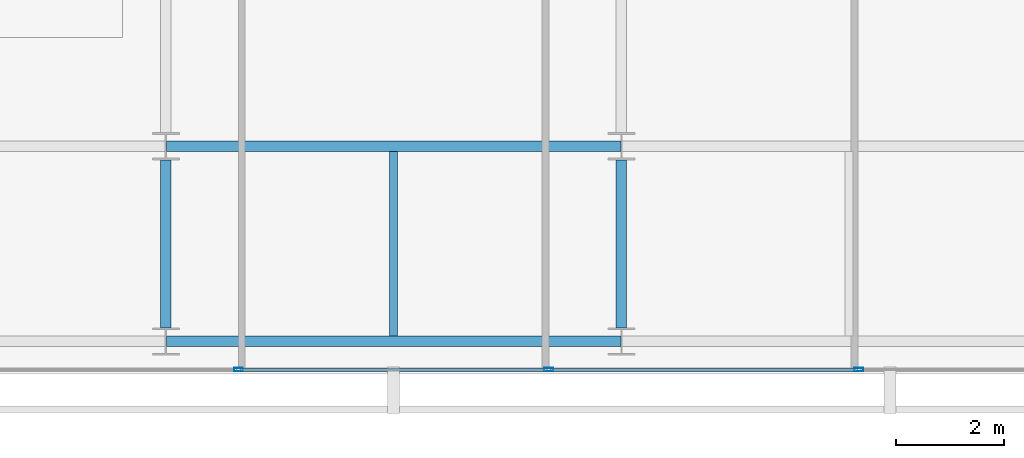
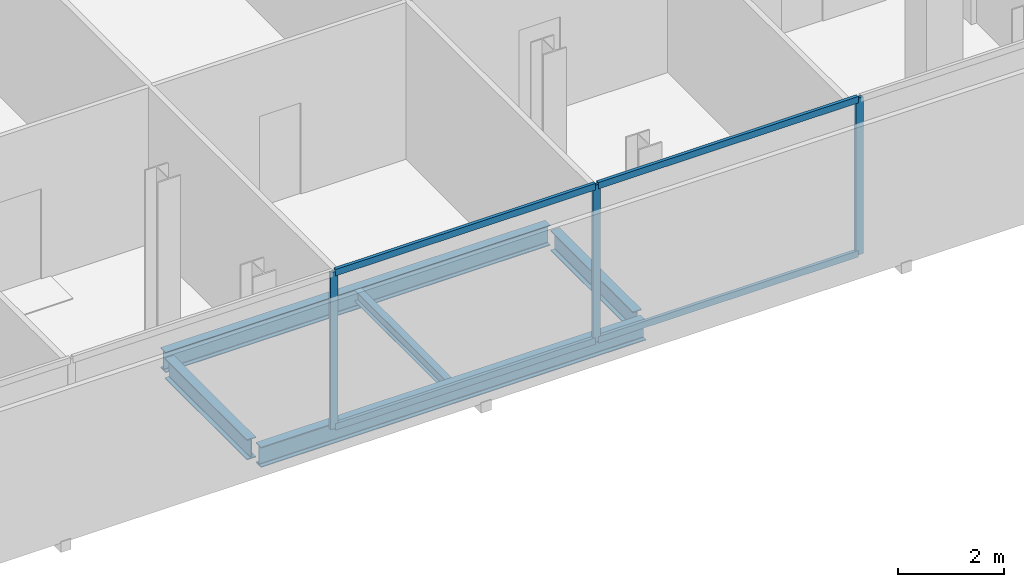
# One storey, part 5 of 24: 7 members, 5 beams, 1 element without a shape of its own.
"""IFC4 building model written with IfcOpenShell, lengths in metres."""

from ifc_helpers import new_model, si_unit, direction, frame, origin, origin_2d, place, context, subcontext, project, spatial, hollow_rectangle, i_section, extrude, material, layer, layer_set, material_profile, profile_set, type_object, element, aggregate, save


model = new_model("IFC4")

# Units and contexts
model_context = context("Model", 3, precision=1e-05, world=origin(), true_north=direction((0.0, 1.0)))
body_context = subcontext(model_context, "Body", "Model", "MODEL_VIEW")
ifc_project = project(units=[si_unit("LENGTHUNIT", "METRE"), si_unit("AREAUNIT", "SQUARE_METRE"), si_unit("VOLUMEUNIT", "CUBIC_METRE"), si_unit("PLANEANGLEUNIT", "RADIAN"), si_unit("MASSUNIT", "GRAM", prefix="KILO")], contexts=[model_context])

# Site, building, storey
site_placement = place(None, origin())
site = spatial("IfcSite", under=ifc_project, at=site_placement, CompositionType="ELEMENT")
building_placement = place(site_placement, origin())
building = spatial("IfcBuilding", under=site, at=building_placement, Name="Maruvema Waterfront Hotel and Observation Tower", CompositionType="ELEMENT")
storey_placement = place(building_placement, frame((0.0, 0.0, 333.550048828125)))
storey = spatial("IfcBuildingStorey", under=building, at=storey_placement, Name="L82", CompositionType="ELEMENT", Elevation=333.550048828125)

# Curtain wall, members
ifc_material_1 = material(Name="Anodised bronze aluminium and solar-control low-E IGU", Category="aluminium")
ifc_layer = layer(ifc_material_1, 0.159912109375, Name="Zone 4 Sky Residence Inner Curtain Wall System CW-05")
ifc_layer_set = layer_set([ifc_layer], Name="Anodised bronze aluminium and solar-control low-E IGU")
curtain_wall_type = type_object("IfcCurtainWallType", Name="Zone 4 Sky Residence Inner Curtain Wall System CW-05", PredefinedType="USERDEFINED", material=ifc_layer_set)
curtain_wall_placement = place(storey_placement, origin())
curtain_wall = element("IfcCurtainWall", 1, at=curtain_wall_placement, inside=storey, type_object=curtain_wall_type, Name="L82 Curtain Wall CW-L82-S", ObjectType="UNITISED CURTAIN WALL", PredefinedType="USERDEFINED")
ifc_material_2 = material(Name="Anodised architectural bronze aluminium", Category="aluminium")
ifc_material_profile_1 = material_profile(ifc_material_2, hollow_rectangle(XDim=0.070068359375, YDim=0.14990234375, WallThickness=0.00390625, at=origin_2d()), Name="ALU-T70x150")
ifc_profile_set_1 = profile_set([ifc_material_profile_1], Name="Anodised architectural bronze aluminium")
member_type_1 = type_object("IfcMemberType", Name="Curtain Wall Horizontal Transom ALU-T70x150", PredefinedType="USERDEFINED", material=ifc_profile_set_1)
member_1_placement = place(storey_placement, frame((34.969970703125, 13.8798828125, 0.030029296875), z_axis=(1.0, 0.0, 0.0), x_axis=(0.0, 1.0, 0.0)))
member_1 = element("IfcMember", 2, at=member_1_placement, type_object=member_type_1, Name="CW-05 transom 3.1", ObjectType="TRANSOM", PredefinedType="USERDEFINED", context=body_context, shape_type="SweptSolid", body=[
    extrude(hollow_rectangle(XDim=0.070068359375, YDim=0.14990234375, WallThickness=0.00390625, at=origin_2d()), origin(), (0.0, 0.0, 1.0), 5.659912109375),
])
member_2_placement = place(storey_placement, frame((34.969970703125, 13.8798828125, 3.579833984375), z_axis=(1.0, 0.0, 0.0), x_axis=(0.0, 1.0, 0.0)))
member_2 = element("IfcMember", 3, at=member_2_placement, type_object=member_type_1, Name="CW-05 transom 3.2", ObjectType="TRANSOM", PredefinedType="USERDEFINED", context=body_context, shape_type="SweptSolid", body=[
    extrude(hollow_rectangle(XDim=0.070068359375, YDim=0.14990234375, WallThickness=0.00390625, at=origin_2d()), origin(), (0.0, 0.0, 1.0), 5.659912109375),
])
member_3_placement = place(storey_placement, frame((40.68994140625, 13.8798828125, 0.030029296875), z_axis=(1.0, 0.0, 0.0), x_axis=(0.0, 1.0, 0.0)))
member_3 = element("IfcMember", 4, at=member_3_placement, type_object=member_type_1, Name="CW-05 transom 4.1", ObjectType="TRANSOM", PredefinedType="USERDEFINED", context=body_context, shape_type="SweptSolid", body=[
    extrude(hollow_rectangle(XDim=0.070068359375, YDim=0.14990234375, WallThickness=0.00390625, at=origin_2d()), origin(), (0.0, 0.0, 1.0), 5.66015625),
])
member_4_placement = place(storey_placement, frame((40.68994140625, 13.8798828125, 3.579833984375), z_axis=(1.0, 0.0, 0.0), x_axis=(0.0, 1.0, 0.0)))
member_4 = element("IfcMember", 5, at=member_4_placement, type_object=member_type_1, Name="CW-05 transom 4.2", ObjectType="TRANSOM", PredefinedType="USERDEFINED", context=body_context, shape_type="SweptSolid", body=[
    extrude(hollow_rectangle(XDim=0.070068359375, YDim=0.14990234375, WallThickness=0.00390625, at=origin_2d()), origin(), (0.0, 0.0, 1.0), 5.66015625),
])
ifc_material_3 = material(Name="Anodised architectural bronze aluminium", Category="aluminium")
ifc_material_profile_2 = material_profile(ifc_material_3, hollow_rectangle(XDim=0.06494140625, YDim=0.1650390625, WallThickness=0.00390625, at=origin_2d()), Name="ALU-M65x165")
ifc_profile_set_2 = profile_set([ifc_material_profile_2], Name="Anodised architectural bronze aluminium")
member_type_2 = type_object("IfcMemberType", Name="Curtain Wall Primary Mullion ALU-M65x165", PredefinedType="MULLION", material=ifc_profile_set_2)
member_5_placement = place(storey_placement, frame((34.93994140625, 13.8798828125, 0.0), z_axis=(0.0, 0.0, 1.0), x_axis=(0.0, 1.0, 0.0)))
member_5 = element("IfcMember", 6, at=member_5_placement, type_object=member_type_2, Name="CW-05 mullion 3", PredefinedType="MULLION", context=body_context, shape_type="SweptSolid", body=[
    extrude(hollow_rectangle(XDim=0.06494140625, YDim=0.1650390625, WallThickness=0.00390625, at=origin_2d()), origin(), (0.0, 0.0, 1.0), 3.60986328125),
])
member_6_placement = place(storey_placement, frame((40.659912109375, 13.8798828125, 0.0), z_axis=(0.0, 0.0, 1.0), x_axis=(0.0, 1.0, 0.0)))
member_6 = element("IfcMember", 7, at=member_6_placement, type_object=member_type_2, Name="CW-05 mullion 4", PredefinedType="MULLION", context=body_context, shape_type="SweptSolid", body=[
    extrude(hollow_rectangle(XDim=0.06494140625, YDim=0.1650390625, WallThickness=0.00390625, at=origin_2d()), origin(), (0.0, 0.0, 1.0), 3.60986328125),
])
member_7_placement = place(storey_placement, frame((46.3798828125, 13.8798828125, 0.0), z_axis=(0.0, 0.0, 1.0), x_axis=(0.0, 1.0, 0.0)))
member_7 = element("IfcMember", 8, at=member_7_placement, type_object=member_type_2, Name="CW-05 mullion 5", PredefinedType="MULLION", context=body_context, shape_type="SweptSolid", body=[
    extrude(hollow_rectangle(XDim=0.06494140625, YDim=0.1650390625, WallThickness=0.00390625, at=origin_2d()), origin(), (0.0, 0.0, 1.0), 3.60986328125),
])
aggregate(curtain_wall, [member_5, member_6, member_7, member_1, member_2, member_3, member_4])

# Beams
ifc_material_4 = material(Name="Steel ASTM A572 Grade 50", Category="steel")
ifc_material_profile_3 = material_profile(ifc_material_4, i_section(OverallWidth=0.194091796875, OverallDepth=0.468994140625, WebThickness=0.0126953125, FlangeThickness=0.0205078125, FilletRadius=0.014892578125, at=origin_2d()), Name="W460x106.0")
ifc_profile_set_3 = profile_set([ifc_material_profile_3], Name="Steel ASTM A572 Grade 50")
beam_type_1 = type_object("IfcBeamType", Name="Primary Floor Girder W460x106.0", PredefinedType="BEAM", material=ifc_profile_set_3)
for number, where, z_axis, x_axis, name in (
    (9, (33.611083984375, 14.39990234375, -0.474609375), (1.0, 0.0, 0.0), (0.0, 1.0, 0.0), "L82 Floor Girder EW-02"),
    (10, (33.611083984375, 18.0, -0.474609375), (1.0, 0.0, 0.0), (0.0, 1.0, 0.0), "L82 Floor Girder EW-05"),
):
    element("IfcBeam", number, at=place(storey_placement, frame(where, z_axis=z_axis, x_axis=x_axis)), inside=storey, type_object=beam_type_1, Name=name, PredefinedType="BEAM", context=body_context, shape_type="SweptSolid", body=[
        extrude(i_section(OverallWidth=0.194091796875, OverallDepth=0.468994140625, WebThickness=0.0126953125, FlangeThickness=0.0205078125, FilletRadius=0.014892578125, at=origin_2d()), origin(), (0.0, 0.0, 1.0), 8.3779296875),
    ])
for number, where, z_axis, x_axis, name in (
    (11, (33.60009765625, 14.64990234375, -0.474609375), (0.0, 1.0, 0.0), (-1.0, 0.0, 0.0), "L82 Floor Girder NS-07"),
    (12, (42.0, 14.64990234375, -0.474609375), (0.0, 1.0, 0.0), (-1.0, 0.0, 0.0), "L82 Floor Girder NS-09"),
):
    element("IfcBeam", number, at=place(storey_placement, frame(where, z_axis=z_axis, x_axis=x_axis)), inside=storey, type_object=beam_type_1, Name=name, PredefinedType="BEAM", context=body_context, shape_type="SweptSolid", body=[
        extrude(i_section(OverallWidth=0.194091796875, OverallDepth=0.468994140625, WebThickness=0.0126953125, FlangeThickness=0.0205078125, FilletRadius=0.014892578125, at=origin_2d()), origin(), (0.0, 0.0, 1.0), 3.10009765625),
    ])
ifc_material_5 = material(Name="Steel ASTM A572 Grade 50", Category="steel")
ifc_material_profile_4 = material_profile(ifc_material_5, i_section(OverallWidth=0.14794921875, OverallDepth=0.26611328125, WebThickness=0.007568359375, FlangeThickness=0.012939453125, FilletRadius=0.012939453125, at=origin_2d()), Name="W250x44.8")
ifc_profile_set_4 = profile_set([ifc_material_profile_4], Name="Steel ASTM A572 Grade 50")
beam_type_2 = type_object("IfcBeamType", Name="Secondary Floor Joist W250x44.8", PredefinedType="JOIST", material=ifc_profile_set_4)
beam_placement = place(storey_placement, frame((37.800048828125, 14.4970703125, -0.373046875), z_axis=(0.0, 1.0, 0.0), x_axis=(-1.0, 0.0, 0.0)))
element("IfcBeam", 13, at=beam_placement, inside=storey, type_object=beam_type_2, Name="L82 Secondary Floor Joist JS-04", PredefinedType="JOIST", context=body_context, shape_type="SweptSolid", body=[
    extrude(i_section(OverallWidth=0.14794921875, OverallDepth=0.26611328125, WebThickness=0.007568359375, FlangeThickness=0.012939453125, FilletRadius=0.012939453125, at=origin_2d()), origin(), (0.0, 0.0, 1.0), 3.406005859375),
])

save(model, "model.ifc")
